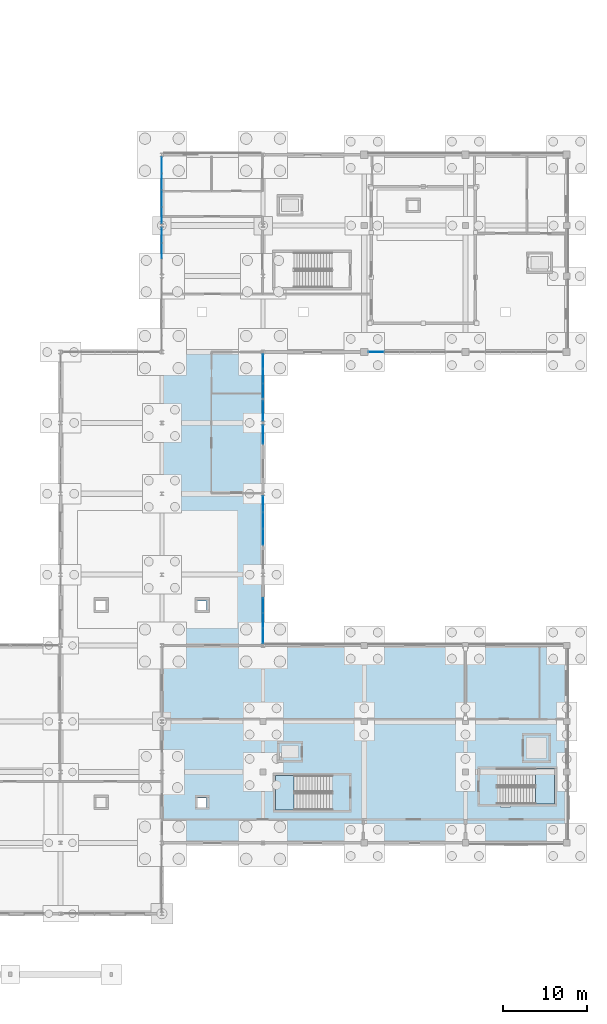
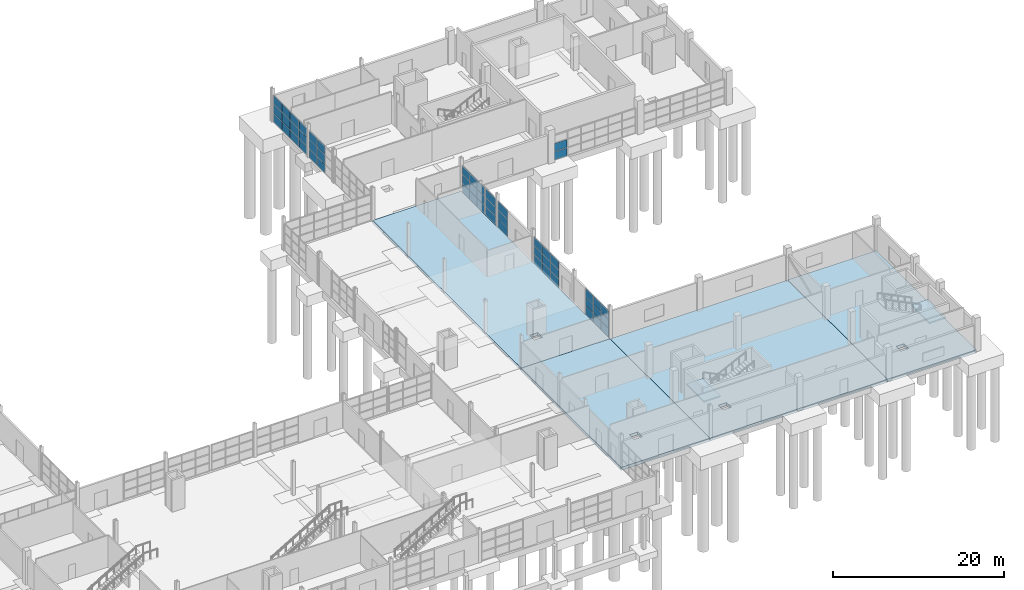
# One storey, part 50 of 82: 53 plates, 6 slabs, 10 elements without a shape of their own.
"""IFC4 building model written with IfcOpenShell, lengths in metres."""

from ifc_helpers import new_model, si_unit, direction, frame, origin, origin_2d, place, context, subcontext, project, spatial, polyline, rectangle, outline, extrude, material, layer, layer_set, type_object, element, aggregate, save


model = new_model("IFC4")

# Units and contexts
model_context = context("Model", 3, precision=1e-05, world=origin(), true_north=direction((0.0, 1.0)))
body_context = subcontext(model_context, "Body", "Model", "MODEL_VIEW")
ifc_project = project(units=[si_unit("LENGTHUNIT", "METRE"), si_unit("AREAUNIT", "SQUARE_METRE"), si_unit("VOLUMEUNIT", "CUBIC_METRE"), si_unit("PLANEANGLEUNIT", "RADIAN"), si_unit("MASSUNIT", "GRAM", prefix="KILO")], contexts=[model_context])

# Site, building, storey
site_placement = place(None, origin())
site = spatial("IfcSite", under=ifc_project, at=site_placement, CompositionType="ELEMENT")
building_placement = place(site_placement, origin())
building = spatial("IfcBuilding", under=site, at=building_placement, Name="Kelmvaro Bay Concert Hall", CompositionType="ELEMENT")
storey_placement = place(building_placement, origin())
storey = spatial("IfcBuildingStorey", under=building, at=storey_placement, Name="L00", CompositionType="ELEMENT", Elevation=0.0)

# Stair, slab
ifc_material_1 = material(Name="Concrete C40/50", Category="concrete")
stair_type_1 = type_object("IfcStairType", Name="Core Dogleg Exit Stair 1980", PredefinedType="USERDEFINED", material=ifc_material_1)
stair_1_placement = place(storey_placement, origin())
stair_1 = element("IfcStair", 1, at=stair_1_placement, inside=storey, type_object=stair_type_1, Name="L00 Exit Stair ST-05", ObjectType="TWO_RETURN_STAIR", PredefinedType="USERDEFINED")
ifc_material_2 = material(Name="Concrete C40/50", Category="concrete")
ifc_layer_1 = layer(ifc_material_2, 0.199951171875)
ifc_layer_set_1 = layer_set([ifc_layer_1], Name="Concrete C40/50")
slab_type_1 = type_object("IfcSlabType", Name="Core Stair Half-Landing Slab 200", PredefinedType="LANDING", material=ifc_layer_set_1)
slab_1_placement = place(storey_placement, frame((0.0, 0.0, 2.199951171875)))
slab_1 = element("IfcSlab", 2, at=slab_1_placement, type_object=slab_type_1, Name="ST-05 landing 1", PredefinedType="LANDING", context=body_context, shape_type="SweptSolid", body=[
    extrude(outline(polyline([(135.696044921875, 23.60009765625), (133.449951171875, 23.60009765625), (133.449951171875, 19.489990234375), (135.696044921875, 19.489990234375), (135.696044921875, 23.60009765625)])), origin(), (0.0, 0.0, 1.0), 0.199951171875),
])
aggregate(stair_1, [slab_1])

ifc_material_3 = material(Name="Concrete C40/50", Category="concrete")
stair_type_2 = type_object("IfcStairType", Name="Core Dogleg Exit Stair 2000", PredefinedType="USERDEFINED", material=ifc_material_3)
stair_2_placement = place(storey_placement, origin())
stair_2 = element("IfcStair", 3, at=stair_2_placement, inside=storey, type_object=stair_type_2, Name="L00 Exit Stair ST-06", ObjectType="TWO_RETURN_STAIR", PredefinedType="USERDEFINED")
slab_2_placement = place(storey_placement, frame((0.0, 0.0, 2.199951171875)))
slab_2 = element("IfcSlab", 4, at=slab_2_placement, type_object=slab_type_1, Name="ST-06 landing 1", PredefinedType="LANDING", context=body_context, shape_type="SweptSolid", body=[
    extrude(outline(polyline([(164.2958984375, 20.199951171875), (166.550048828125, 20.199951171875), (166.550048828125, 24.389892578125), (164.2958984375, 24.389892578125), (164.2958984375, 20.199951171875)])), origin(), (0.0, 0.0, 1.0), 0.199951171875),
])
aggregate(stair_2, [slab_2])

# Curtain wall, plates
ifc_material_4 = material(Name="Anodised Aluminium and Low-E Insulated Glazing", Category="aluminium")
curtain_wall_type_1 = type_object("IfcCurtainWallType", Name="Chamber Foyer Curtain Wall 3900", PredefinedType="USERDEFINED", material=ifc_material_4)
curtain_wall_1_placement = place(storey_placement, origin())
curtain_wall_1 = element("IfcCurtainWall", 5, at=curtain_wall_1_placement, inside=storey, type_object=curtain_wall_type_1, Name="Unitised Curtain Wall CW-L00-033", ObjectType="UNITISED GLAZING", PredefinedType="USERDEFINED")
ifc_material_5 = material(Name="Laminated Low-E Insulated Glass", Category="glass")
ifc_layer_2 = layer(ifc_material_5, 1.85009765625)
ifc_layer_set_2 = layer_set([ifc_layer_2], Name="Laminated Low-E Insulated Glass")
plate_type_1 = type_object("IfcPlateType", Name="Curtain Glazing Panel Low-E 32", PredefinedType="CURTAIN_PANEL", material=ifc_layer_set_2)
plate_1_placement = place(storey_placement, frame((120.0, 85.800048828125, 0.032470703125), z_axis=(0.0, 0.0, 1.0), x_axis=(0.0, 1.0, 0.0)))
plate_1 = element("IfcPlate", 6, at=plate_1_placement, type_object=plate_type_1, Name="CW-L00-033 Insulated Glazing Panel 02-1", PredefinedType="CURTAIN_PANEL", context=body_context, shape_type="SweptSolid", body=[
    extrude(rectangle(XDim=1.76708984375, YDim=0.031982421875, at=origin_2d()), origin(), (0.0, 0.0, 1.0), 1.23779296875),
])
plate_2_placement = place(storey_placement, frame((120.0, 85.800048828125, 1.33544921875), z_axis=(0.0, 0.0, 1.0), x_axis=(0.0, 1.0, 0.0)))
plate_2 = element("IfcPlate", 7, at=plate_2_placement, type_object=plate_type_1, Name="CW-L00-033 Insulated Glazing Panel 02-2", PredefinedType="CURTAIN_PANEL", context=body_context, shape_type="SweptSolid", body=[
    extrude(rectangle(XDim=1.76708984375, YDim=0.031982421875, at=origin_2d()), origin(), (0.0, 0.0, 1.0), 1.237548828125),
])
plate_3_placement = place(storey_placement, frame((120.0, 85.800048828125, 2.6376953125), z_axis=(0.0, 0.0, 1.0), x_axis=(0.0, 1.0, 0.0)))
plate_3 = element("IfcPlate", 8, at=plate_3_placement, type_object=plate_type_1, Name="CW-L00-033 Insulated Glazing Panel 02-3", PredefinedType="CURTAIN_PANEL", context=body_context, shape_type="SweptSolid", body=[
    extrude(rectangle(XDim=1.76708984375, YDim=0.031982421875, at=origin_2d()), origin(), (0.0, 0.0, 1.0), 1.23779296875),
])
plate_4_placement = place(storey_placement, frame((120.0, 87.632080078125, 0.032470703125), z_axis=(0.0, 0.0, 1.0), x_axis=(0.0, 1.0, 0.0)))
plate_4 = element("IfcPlate", 9, at=plate_4_placement, type_object=plate_type_1, Name="CW-L00-033 Insulated Glazing Panel 03-1", PredefinedType="CURTAIN_PANEL", context=body_context, shape_type="SweptSolid", body=[
    extrude(rectangle(XDim=1.76708984375, YDim=0.031982421875, at=origin_2d()), origin(), (0.0, 0.0, 1.0), 1.23779296875),
])
plate_5_placement = place(storey_placement, frame((120.0, 87.632080078125, 1.33544921875), z_axis=(0.0, 0.0, 1.0), x_axis=(0.0, 1.0, 0.0)))
plate_5 = element("IfcPlate", 10, at=plate_5_placement, type_object=plate_type_1, Name="CW-L00-033 Insulated Glazing Panel 03-2", PredefinedType="CURTAIN_PANEL", context=body_context, shape_type="SweptSolid", body=[
    extrude(rectangle(XDim=1.76708984375, YDim=0.031982421875, at=origin_2d()), origin(), (0.0, 0.0, 1.0), 1.237548828125),
])
plate_6_placement = place(storey_placement, frame((120.0, 87.632080078125, 2.6376953125), z_axis=(0.0, 0.0, 1.0), x_axis=(0.0, 1.0, 0.0)))
plate_6 = element("IfcPlate", 11, at=plate_6_placement, type_object=plate_type_1, Name="CW-L00-033 Insulated Glazing Panel 03-3", PredefinedType="CURTAIN_PANEL", context=body_context, shape_type="SweptSolid", body=[
    extrude(rectangle(XDim=1.76708984375, YDim=0.031982421875, at=origin_2d()), origin(), (0.0, 0.0, 1.0), 1.23779296875),
])
aggregate(curtain_wall_1, [plate_1, plate_2, plate_3, plate_4, plate_5, plate_6])

curtain_wall_2_placement = place(storey_placement, origin())
curtain_wall_2 = element("IfcCurtainWall", 12, at=curtain_wall_2_placement, inside=storey, type_object=curtain_wall_type_1, Name="Unitised Curtain Wall CW-L00-034", ObjectType="UNITISED GLAZING", PredefinedType="USERDEFINED")
plate_7_placement = place(storey_placement, frame((120.0, 90.038818359375, 0.032470703125), z_axis=(0.0, 0.0, 1.0), x_axis=(0.0, 1.0, 0.0)))
plate_7 = element("IfcPlate", 13, at=plate_7_placement, type_object=plate_type_1, Name="CW-L00-034 Insulated Glazing Panel 01-1", PredefinedType="CURTAIN_PANEL", context=body_context, shape_type="SweptSolid", body=[
    extrude(rectangle(XDim=1.908447265625, YDim=0.031982421875, at=origin_2d()), origin(), (0.0, 0.0, 1.0), 1.23779296875),
])
plate_8_placement = place(storey_placement, frame((120.0, 90.038818359375, 1.33544921875), z_axis=(0.0, 0.0, 1.0), x_axis=(0.0, 1.0, 0.0)))
plate_8 = element("IfcPlate", 14, at=plate_8_placement, type_object=plate_type_1, Name="CW-L00-034 Insulated Glazing Panel 01-2", PredefinedType="CURTAIN_PANEL", context=body_context, shape_type="SweptSolid", body=[
    extrude(rectangle(XDim=1.908447265625, YDim=0.031982421875, at=origin_2d()), origin(), (0.0, 0.0, 1.0), 1.237548828125),
])
plate_9_placement = place(storey_placement, frame((120.0, 90.038818359375, 2.6376953125), z_axis=(0.0, 0.0, 1.0), x_axis=(0.0, 1.0, 0.0)))
plate_9 = element("IfcPlate", 15, at=plate_9_placement, type_object=plate_type_1, Name="CW-L00-034 Insulated Glazing Panel 01-3", PredefinedType="CURTAIN_PANEL", context=body_context, shape_type="SweptSolid", body=[
    extrude(rectangle(XDim=1.908447265625, YDim=0.031982421875, at=origin_2d()), origin(), (0.0, 0.0, 1.0), 1.23779296875),
])
plate_10_placement = place(storey_placement, frame((120.0, 92.01220703125, 0.032470703125), z_axis=(0.0, 0.0, 1.0), x_axis=(0.0, 1.0, 0.0)))
plate_10 = element("IfcPlate", 16, at=plate_10_placement, type_object=plate_type_1, Name="CW-L00-034 Insulated Glazing Panel 02-1", PredefinedType="CURTAIN_PANEL", context=body_context, shape_type="SweptSolid", body=[
    extrude(rectangle(XDim=1.908447265625, YDim=0.031982421875, at=origin_2d()), origin(), (0.0, 0.0, 1.0), 1.23779296875),
])
plate_11_placement = place(storey_placement, frame((120.0, 92.01220703125, 1.33544921875), z_axis=(0.0, 0.0, 1.0), x_axis=(0.0, 1.0, 0.0)))
plate_11 = element("IfcPlate", 17, at=plate_11_placement, type_object=plate_type_1, Name="CW-L00-034 Insulated Glazing Panel 02-2", PredefinedType="CURTAIN_PANEL", context=body_context, shape_type="SweptSolid", body=[
    extrude(rectangle(XDim=1.908447265625, YDim=0.031982421875, at=origin_2d()), origin(), (0.0, 0.0, 1.0), 1.237548828125),
])
plate_12_placement = place(storey_placement, frame((120.0, 92.01220703125, 2.6376953125), z_axis=(0.0, 0.0, 1.0), x_axis=(0.0, 1.0, 0.0)))
plate_12 = element("IfcPlate", 18, at=plate_12_placement, type_object=plate_type_1, Name="CW-L00-034 Insulated Glazing Panel 02-3", PredefinedType="CURTAIN_PANEL", context=body_context, shape_type="SweptSolid", body=[
    extrude(rectangle(XDim=1.908447265625, YDim=0.031982421875, at=origin_2d()), origin(), (0.0, 0.0, 1.0), 1.23779296875),
])
plate_13_placement = place(storey_placement, frame((120.0, 93.9853515625, 0.032470703125), z_axis=(0.0, 0.0, 1.0), x_axis=(0.0, 1.0, 0.0)))
plate_13 = element("IfcPlate", 19, at=plate_13_placement, type_object=plate_type_1, Name="CW-L00-034 Insulated Glazing Panel 03-1", PredefinedType="CURTAIN_PANEL", context=body_context, shape_type="SweptSolid", body=[
    extrude(rectangle(XDim=1.908447265625, YDim=0.031982421875, at=origin_2d()), origin(), (0.0, 0.0, 1.0), 1.23779296875),
])
plate_14_placement = place(storey_placement, frame((120.0, 93.9853515625, 1.33544921875), z_axis=(0.0, 0.0, 1.0), x_axis=(0.0, 1.0, 0.0)))
plate_14 = element("IfcPlate", 20, at=plate_14_placement, type_object=plate_type_1, Name="CW-L00-034 Insulated Glazing Panel 03-2", PredefinedType="CURTAIN_PANEL", context=body_context, shape_type="SweptSolid", body=[
    extrude(rectangle(XDim=1.908447265625, YDim=0.031982421875, at=origin_2d()), origin(), (0.0, 0.0, 1.0), 1.237548828125),
])
plate_15_placement = place(storey_placement, frame((120.0, 93.9853515625, 2.6376953125), z_axis=(0.0, 0.0, 1.0), x_axis=(0.0, 1.0, 0.0)))
plate_15 = element("IfcPlate", 21, at=plate_15_placement, type_object=plate_type_1, Name="CW-L00-034 Insulated Glazing Panel 03-3", PredefinedType="CURTAIN_PANEL", context=body_context, shape_type="SweptSolid", body=[
    extrude(rectangle(XDim=1.908447265625, YDim=0.031982421875, at=origin_2d()), origin(), (0.0, 0.0, 1.0), 1.23779296875),
])
plate_16_placement = place(storey_placement, frame((120.0, 95.958740234375, 0.032470703125), z_axis=(0.0, 0.0, 1.0), x_axis=(0.0, 1.0, 0.0)))
plate_16 = element("IfcPlate", 22, at=plate_16_placement, type_object=plate_type_1, Name="CW-L00-034 Insulated Glazing Panel 04-1", PredefinedType="CURTAIN_PANEL", context=body_context, shape_type="SweptSolid", body=[
    extrude(rectangle(XDim=1.908447265625, YDim=0.031982421875, at=origin_2d()), origin(), (0.0, 0.0, 1.0), 1.23779296875),
])
plate_17_placement = place(storey_placement, frame((120.0, 95.958740234375, 1.33544921875), z_axis=(0.0, 0.0, 1.0), x_axis=(0.0, 1.0, 0.0)))
plate_17 = element("IfcPlate", 23, at=plate_17_placement, type_object=plate_type_1, Name="CW-L00-034 Insulated Glazing Panel 04-2", PredefinedType="CURTAIN_PANEL", context=body_context, shape_type="SweptSolid", body=[
    extrude(rectangle(XDim=1.908447265625, YDim=0.031982421875, at=origin_2d()), origin(), (0.0, 0.0, 1.0), 1.237548828125),
])
plate_18_placement = place(storey_placement, frame((120.0, 95.958740234375, 2.6376953125), z_axis=(0.0, 0.0, 1.0), x_axis=(0.0, 1.0, 0.0)))
plate_18 = element("IfcPlate", 24, at=plate_18_placement, type_object=plate_type_1, Name="CW-L00-034 Insulated Glazing Panel 04-3", PredefinedType="CURTAIN_PANEL", context=body_context, shape_type="SweptSolid", body=[
    extrude(rectangle(XDim=1.908447265625, YDim=0.031982421875, at=origin_2d()), origin(), (0.0, 0.0, 1.0), 1.23779296875),
])
aggregate(curtain_wall_2, [plate_7, plate_8, plate_9, plate_10, plate_11, plate_12, plate_13, plate_14, plate_15, plate_16, plate_17, plate_18])

# Slab
ifc_material_6 = material(Name="Concrete C40/50", Category="concrete")
ifc_layer_3 = layer(ifc_material_6, 0.389892578125)
ifc_layer_set_3 = layer_set([ifc_layer_3], Name="Concrete C40/50")
slab_type_2 = type_object("IfcSlabType", Name="Foyer Ground Structural Slab 390", PredefinedType="BASESLAB", material=ifc_layer_set_3)
slab_3_placement = place(storey_placement, frame((0.0, 0.0, -0.389892578125)))
element("IfcSlab", 25, at=slab_3_placement, inside=storey, type_object=slab_type_2, Name="L00 Structural Slab V5-E2", PredefinedType="BASESLAB", context=body_context, shape_type="SweptSolid", body=[
    extrude(outline(polyline([(120.0, 39.0), (132.0, 39.0), (132.0, 73.800048828125), (120.0, 73.800048828125), (120.0, 39.0)]), holes=[polyline([(124.199951171875, 43.199951171875), (125.300048828125, 43.199951171875), (125.300048828125, 44.300048828125), (124.199951171875, 44.300048828125), (124.199951171875, 43.199951171875)])]), origin(), (0.0, 0.0, 1.0), 0.389892578125),
])

# Curtain wall, plates
curtain_wall_3_placement = place(storey_placement, origin())
curtain_wall_3 = element("IfcCurtainWall", 26, at=curtain_wall_3_placement, inside=storey, type_object=curtain_wall_type_1, Name="Unitised Curtain Wall CW-L00-030", ObjectType="UNITISED GLAZING", PredefinedType="USERDEFINED")
ifc_material_7 = material(Name="Laminated Low-E Insulated Glass", Category="glass")
ifc_layer_4 = layer(ifc_material_7, 1.85009765625)
ifc_layer_set_4 = layer_set([ifc_layer_4], Name="Laminated Low-E Insulated Glass")
plate_type_2 = type_object("IfcPlateType", Name="High-Impact Waterfront Glazing Panel 50", PredefinedType="CURTAIN_PANEL", material=ifc_layer_set_4)
plate_19_placement = place(storey_placement, frame((145.39990234375, 73.800048828125, 0.032470703125), z_axis=(0.0, 0.0, 1.0), x_axis=(-1.0, 0.0, 0.0)))
plate_19 = element("IfcPlate", 27, at=plate_19_placement, type_object=plate_type_2, Name="CW-L00-030 Insulated Glazing Panel 06-1", PredefinedType="CURTAIN_PANEL", context=body_context, shape_type="SweptSolid", body=[
    extrude(rectangle(XDim=1.77490234375, YDim=0.050048828125, at=origin_2d()), origin(), (0.0, 0.0, 1.0), 1.14501953125),
])
plate_20_placement = place(storey_placement, frame((145.39990234375, 73.800048828125, 1.242431640625), z_axis=(0.0, 0.0, 1.0), x_axis=(-1.0, 0.0, 0.0)))
plate_20 = element("IfcPlate", 28, at=plate_20_placement, type_object=plate_type_2, Name="CW-L00-030 Insulated Glazing Panel 06-2", PredefinedType="CURTAIN_PANEL", context=body_context, shape_type="SweptSolid", body=[
    extrude(rectangle(XDim=1.77490234375, YDim=0.050048828125, at=origin_2d()), origin(), (0.0, 0.0, 1.0), 1.14501953125),
])
aggregate(curtain_wall_3, [plate_19, plate_20])

ifc_material_8 = material(Name="Anodised Aluminium and Low-E Insulated Glazing", Category="aluminium")
curtain_wall_type_2 = type_object("IfcCurtainWallType", Name="Foyer Ground Hurricane Curtain Wall 4400", PredefinedType="USERDEFINED", material=ifc_material_8)
curtain_wall_4_placement = place(storey_placement, origin())
curtain_wall_4 = element("IfcCurtainWall", 29, at=curtain_wall_4_placement, inside=storey, type_object=curtain_wall_type_2, Name="Unitised Curtain Wall CW-L00-099", ObjectType="UNITISED GLAZING", PredefinedType="USERDEFINED")
plate_21_placement = place(storey_placement, frame((132.0, 43.759033203125, 0.032470703125), z_axis=(0.0, 0.0, 1.0), x_axis=(0.0, -1.0, 0.0)))
plate_21 = element("IfcPlate", 30, at=plate_21_placement, type_object=plate_type_2, Name="CW-L00-099 Insulated Glazing Panel 01-1", PredefinedType="CURTAIN_PANEL", context=body_context, shape_type="SweptSolid", body=[
    extrude(rectangle(XDim=1.73681640625, YDim=0.050048828125, at=origin_2d()), origin(), (0.0, 0.0, 1.0), 1.2109375),
])
plate_22_placement = place(storey_placement, frame((132.0, 43.759033203125, 1.30859375), z_axis=(0.0, 0.0, 1.0), x_axis=(0.0, -1.0, 0.0)))
plate_22 = element("IfcPlate", 31, at=plate_22_placement, type_object=plate_type_2, Name="CW-L00-099 Insulated Glazing Panel 01-2", PredefinedType="CURTAIN_PANEL", context=body_context, shape_type="SweptSolid", body=[
    extrude(rectangle(XDim=1.73681640625, YDim=0.050048828125, at=origin_2d()), origin(), (0.0, 0.0, 1.0), 1.2109375),
])
plate_23_placement = place(storey_placement, frame((132.0, 43.759033203125, 2.58447265625), z_axis=(0.0, 0.0, 1.0), x_axis=(0.0, -1.0, 0.0)))
plate_23 = element("IfcPlate", 32, at=plate_23_placement, type_object=plate_type_2, Name="CW-L00-099 Insulated Glazing Panel 01-3", PredefinedType="CURTAIN_PANEL", context=body_context, shape_type="SweptSolid", body=[
    extrude(rectangle(XDim=1.73681640625, YDim=0.050048828125, at=origin_2d()), origin(), (0.0, 0.0, 1.0), 1.2109375),
])
plate_24_placement = place(storey_placement, frame((132.0, 41.957275390625, 0.032470703125), z_axis=(0.0, 0.0, 1.0), x_axis=(0.0, -1.0, 0.0)))
plate_24 = element("IfcPlate", 33, at=plate_24_placement, type_object=plate_type_2, Name="CW-L00-099 Insulated Glazing Panel 02-1", PredefinedType="CURTAIN_PANEL", context=body_context, shape_type="SweptSolid", body=[
    extrude(rectangle(XDim=1.73681640625, YDim=0.050048828125, at=origin_2d()), origin(), (0.0, 0.0, 1.0), 1.2109375),
])
plate_25_placement = place(storey_placement, frame((132.0, 41.957275390625, 1.30859375), z_axis=(0.0, 0.0, 1.0), x_axis=(0.0, -1.0, 0.0)))
plate_25 = element("IfcPlate", 34, at=plate_25_placement, type_object=plate_type_2, Name="CW-L00-099 Insulated Glazing Panel 02-2", PredefinedType="CURTAIN_PANEL", context=body_context, shape_type="SweptSolid", body=[
    extrude(rectangle(XDim=1.73681640625, YDim=0.050048828125, at=origin_2d()), origin(), (0.0, 0.0, 1.0), 1.2109375),
])
plate_26_placement = place(storey_placement, frame((132.0, 41.957275390625, 2.58447265625), z_axis=(0.0, 0.0, 1.0), x_axis=(0.0, -1.0, 0.0)))
plate_26 = element("IfcPlate", 35, at=plate_26_placement, type_object=plate_type_2, Name="CW-L00-099 Insulated Glazing Panel 02-3", PredefinedType="CURTAIN_PANEL", context=body_context, shape_type="SweptSolid", body=[
    extrude(rectangle(XDim=1.73681640625, YDim=0.050048828125, at=origin_2d()), origin(), (0.0, 0.0, 1.0), 1.2109375),
])
plate_27_placement = place(storey_placement, frame((132.0, 40.155517578125, 0.032470703125), z_axis=(0.0, 0.0, 1.0), x_axis=(0.0, -1.0, 0.0)))
plate_27 = element("IfcPlate", 36, at=plate_27_placement, type_object=plate_type_2, Name="CW-L00-099 Insulated Glazing Panel 03-1", PredefinedType="CURTAIN_PANEL", context=body_context, shape_type="SweptSolid", body=[
    extrude(rectangle(XDim=1.73681640625, YDim=0.050048828125, at=origin_2d()), origin(), (0.0, 0.0, 1.0), 1.2109375),
])
plate_28_placement = place(storey_placement, frame((132.0, 40.155517578125, 1.30859375), z_axis=(0.0, 0.0, 1.0), x_axis=(0.0, -1.0, 0.0)))
plate_28 = element("IfcPlate", 37, at=plate_28_placement, type_object=plate_type_2, Name="CW-L00-099 Insulated Glazing Panel 03-2", PredefinedType="CURTAIN_PANEL", context=body_context, shape_type="SweptSolid", body=[
    extrude(rectangle(XDim=1.73681640625, YDim=0.050048828125, at=origin_2d()), origin(), (0.0, 0.0, 1.0), 1.2109375),
])
plate_29_placement = place(storey_placement, frame((132.0, 40.155517578125, 2.58447265625), z_axis=(0.0, 0.0, 1.0), x_axis=(0.0, -1.0, 0.0)))
plate_29 = element("IfcPlate", 38, at=plate_29_placement, type_object=plate_type_2, Name="CW-L00-099 Insulated Glazing Panel 03-3", PredefinedType="CURTAIN_PANEL", context=body_context, shape_type="SweptSolid", body=[
    extrude(rectangle(XDim=1.73681640625, YDim=0.050048828125, at=origin_2d()), origin(), (0.0, 0.0, 1.0), 1.2109375),
])
aggregate(curtain_wall_4, [plate_21, plate_22, plate_23, plate_24, plate_25, plate_26, plate_27, plate_28, plate_29])

curtain_wall_5_placement = place(storey_placement, origin())
curtain_wall_5 = element("IfcCurtainWall", 39, at=curtain_wall_5_placement, inside=storey, type_object=curtain_wall_type_2, Name="Unitised Curtain Wall CW-L00-102", ObjectType="UNITISED GLAZING", PredefinedType="USERDEFINED")
plate_30_placement = place(storey_placement, frame((132.0, 55.781982421875, 0.03271484375), z_axis=(0.0, 0.0, 1.0), x_axis=(0.0, -1.0, 0.0)))
plate_30 = element("IfcPlate", 40, at=plate_30_placement, type_object=plate_type_2, Name="CW-L00-102 Insulated Glazing Panel 01-1", PredefinedType="CURTAIN_PANEL", context=body_context, shape_type="SweptSolid", body=[
    extrude(rectangle(XDim=1.8798828125, YDim=0.050048828125, at=origin_2d()), origin(), (0.0, 0.0, 1.0), 1.211181640625),
])
plate_31_placement = place(storey_placement, frame((132.0, 55.781982421875, 1.308837890625), z_axis=(0.0, 0.0, 1.0), x_axis=(0.0, -1.0, 0.0)))
plate_31 = element("IfcPlate", 41, at=plate_31_placement, type_object=plate_type_2, Name="CW-L00-102 Insulated Glazing Panel 01-2", PredefinedType="CURTAIN_PANEL", context=body_context, shape_type="SweptSolid", body=[
    extrude(rectangle(XDim=1.8798828125, YDim=0.050048828125, at=origin_2d()), origin(), (0.0, 0.0, 1.0), 1.21142578125),
])
plate_32_placement = place(storey_placement, frame((132.0, 55.781982421875, 2.58544921875), z_axis=(0.0, 0.0, 1.0), x_axis=(0.0, -1.0, 0.0)))
plate_32 = element("IfcPlate", 42, at=plate_32_placement, type_object=plate_type_2, Name="CW-L00-102 Insulated Glazing Panel 01-3", PredefinedType="CURTAIN_PANEL", context=body_context, shape_type="SweptSolid", body=[
    extrude(rectangle(XDim=1.8798828125, YDim=0.050048828125, at=origin_2d()), origin(), (0.0, 0.0, 1.0), 1.211181640625),
])
plate_33_placement = place(storey_placement, frame((132.0, 53.837158203125, 0.03271484375), z_axis=(0.0, 0.0, 1.0), x_axis=(0.0, -1.0, 0.0)))
plate_33 = element("IfcPlate", 43, at=plate_33_placement, type_object=plate_type_2, Name="CW-L00-102 Insulated Glazing Panel 02-1", PredefinedType="CURTAIN_PANEL", context=body_context, shape_type="SweptSolid", body=[
    extrude(rectangle(XDim=1.8798828125, YDim=0.050048828125, at=origin_2d()), origin(), (0.0, 0.0, 1.0), 1.211181640625),
])
plate_34_placement = place(storey_placement, frame((132.0, 53.837158203125, 1.308837890625), z_axis=(0.0, 0.0, 1.0), x_axis=(0.0, -1.0, 0.0)))
plate_34 = element("IfcPlate", 44, at=plate_34_placement, type_object=plate_type_2, Name="CW-L00-102 Insulated Glazing Panel 02-2", PredefinedType="CURTAIN_PANEL", context=body_context, shape_type="SweptSolid", body=[
    extrude(rectangle(XDim=1.8798828125, YDim=0.050048828125, at=origin_2d()), origin(), (0.0, 0.0, 1.0), 1.21142578125),
])
plate_35_placement = place(storey_placement, frame((132.0, 53.837158203125, 2.58544921875), z_axis=(0.0, 0.0, 1.0), x_axis=(0.0, -1.0, 0.0)))
plate_35 = element("IfcPlate", 45, at=plate_35_placement, type_object=plate_type_2, Name="CW-L00-102 Insulated Glazing Panel 02-3", PredefinedType="CURTAIN_PANEL", context=body_context, shape_type="SweptSolid", body=[
    extrude(rectangle(XDim=1.8798828125, YDim=0.050048828125, at=origin_2d()), origin(), (0.0, 0.0, 1.0), 1.211181640625),
])
plate_36_placement = place(storey_placement, frame((132.0, 51.892333984375, 0.03271484375), z_axis=(0.0, 0.0, 1.0), x_axis=(0.0, -1.0, 0.0)))
plate_36 = element("IfcPlate", 46, at=plate_36_placement, type_object=plate_type_2, Name="CW-L00-102 Insulated Glazing Panel 03-1", PredefinedType="CURTAIN_PANEL", context=body_context, shape_type="SweptSolid", body=[
    extrude(rectangle(XDim=1.8798828125, YDim=0.050048828125, at=origin_2d()), origin(), (0.0, 0.0, 1.0), 1.211181640625),
])
plate_37_placement = place(storey_placement, frame((132.0, 51.892333984375, 1.308837890625), z_axis=(0.0, 0.0, 1.0), x_axis=(0.0, -1.0, 0.0)))
plate_37 = element("IfcPlate", 47, at=plate_37_placement, type_object=plate_type_2, Name="CW-L00-102 Insulated Glazing Panel 03-2", PredefinedType="CURTAIN_PANEL", context=body_context, shape_type="SweptSolid", body=[
    extrude(rectangle(XDim=1.8798828125, YDim=0.050048828125, at=origin_2d()), origin(), (0.0, 0.0, 1.0), 1.21142578125),
])
plate_38_placement = place(storey_placement, frame((132.0, 51.892333984375, 2.58544921875), z_axis=(0.0, 0.0, 1.0), x_axis=(0.0, -1.0, 0.0)))
plate_38 = element("IfcPlate", 48, at=plate_38_placement, type_object=plate_type_2, Name="CW-L00-102 Insulated Glazing Panel 03-3", PredefinedType="CURTAIN_PANEL", context=body_context, shape_type="SweptSolid", body=[
    extrude(rectangle(XDim=1.8798828125, YDim=0.050048828125, at=origin_2d()), origin(), (0.0, 0.0, 1.0), 1.211181640625),
])
aggregate(curtain_wall_5, [plate_30, plate_31, plate_32, plate_33, plate_34, plate_35, plate_36, plate_37, plate_38])

curtain_wall_6_placement = place(storey_placement, origin())
curtain_wall_6 = element("IfcCurtainWall", 49, at=curtain_wall_6_placement, inside=storey, type_object=curtain_wall_type_2, Name="Unitised Curtain Wall CW-L00-104", ObjectType="UNITISED GLAZING", PredefinedType="USERDEFINED")
plate_39_placement = place(storey_placement, frame((132.0, 66.852783203125, 0.032470703125), z_axis=(0.0, 0.0, 1.0), x_axis=(0.0, -1.0, 0.0)))
plate_39 = element("IfcPlate", 50, at=plate_39_placement, type_object=plate_type_2, Name="CW-L00-104 Insulated Glazing Panel 01-1", PredefinedType="CURTAIN_PANEL", context=body_context, shape_type="SweptSolid", body=[
    extrude(rectangle(XDim=2.349609375, YDim=0.050048828125, at=origin_2d()), origin(), (0.0, 0.0, 1.0), 1.2109375),
])
plate_40_placement = place(storey_placement, frame((132.0, 66.852783203125, 1.30859375), z_axis=(0.0, 0.0, 1.0), x_axis=(0.0, -1.0, 0.0)))
plate_40 = element("IfcPlate", 51, at=plate_40_placement, type_object=plate_type_2, Name="CW-L00-104 Insulated Glazing Panel 01-2", PredefinedType="CURTAIN_PANEL", context=body_context, shape_type="SweptSolid", body=[
    extrude(rectangle(XDim=2.349609375, YDim=0.050048828125, at=origin_2d()), origin(), (0.0, 0.0, 1.0), 1.2109375),
])
plate_41_placement = place(storey_placement, frame((132.0, 66.852783203125, 2.58447265625), z_axis=(0.0, 0.0, 1.0), x_axis=(0.0, -1.0, 0.0)))
plate_41 = element("IfcPlate", 52, at=plate_41_placement, type_object=plate_type_2, Name="CW-L00-104 Insulated Glazing Panel 01-3", PredefinedType="CURTAIN_PANEL", context=body_context, shape_type="SweptSolid", body=[
    extrude(rectangle(XDim=2.349609375, YDim=0.050048828125, at=origin_2d()), origin(), (0.0, 0.0, 1.0), 1.2109375),
])
aggregate(curtain_wall_6, [plate_39, plate_40, plate_41])

curtain_wall_7_placement = place(storey_placement, origin())
curtain_wall_7 = element("IfcCurtainWall", 53, at=curtain_wall_7_placement, inside=storey, type_object=curtain_wall_type_2, Name="Unitised Curtain Wall CW-L00-105", ObjectType="UNITISED GLAZING", PredefinedType="USERDEFINED")
plate_42_placement = place(storey_placement, frame((132.0, 64.037353515625, 0.032470703125), z_axis=(0.0, 0.0, 1.0), x_axis=(0.0, -1.0, 0.0)))
plate_42 = element("IfcPlate", 54, at=plate_42_placement, type_object=plate_type_2, Name="CW-L00-105 Insulated Glazing Panel 01-1", PredefinedType="CURTAIN_PANEL", context=body_context, shape_type="SweptSolid", body=[
    extrude(rectangle(XDim=2.16943359375, YDim=0.050048828125, at=origin_2d()), origin(), (0.0, 0.0, 1.0), 1.2109375),
])
plate_43_placement = place(storey_placement, frame((132.0, 64.037353515625, 1.30859375), z_axis=(0.0, 0.0, 1.0), x_axis=(0.0, -1.0, 0.0)))
plate_43 = element("IfcPlate", 55, at=plate_43_placement, type_object=plate_type_2, Name="CW-L00-105 Insulated Glazing Panel 01-2", PredefinedType="CURTAIN_PANEL", context=body_context, shape_type="SweptSolid", body=[
    extrude(rectangle(XDim=2.16943359375, YDim=0.050048828125, at=origin_2d()), origin(), (0.0, 0.0, 1.0), 1.2109375),
])
plate_44_placement = place(storey_placement, frame((132.0, 64.037353515625, 2.58447265625), z_axis=(0.0, 0.0, 1.0), x_axis=(0.0, -1.0, 0.0)))
plate_44 = element("IfcPlate", 56, at=plate_44_placement, type_object=plate_type_2, Name="CW-L00-105 Insulated Glazing Panel 01-3", PredefinedType="CURTAIN_PANEL", context=body_context, shape_type="SweptSolid", body=[
    extrude(rectangle(XDim=2.16943359375, YDim=0.050048828125, at=origin_2d()), origin(), (0.0, 0.0, 1.0), 1.2109375),
])
aggregate(curtain_wall_7, [plate_42, plate_43, plate_44])

curtain_wall_8_placement = place(storey_placement, origin())
curtain_wall_8 = element("IfcCurtainWall", 57, at=curtain_wall_8_placement, inside=storey, type_object=curtain_wall_type_2, Name="Unitised Curtain Wall CW-L00-107", ObjectType="UNITISED GLAZING", PredefinedType="USERDEFINED")
plate_45_placement = place(storey_placement, frame((132.0, 72.677978515625, 0.032470703125), z_axis=(0.0, 0.0, 1.0), x_axis=(0.0, -1.0, 0.0)))
plate_45 = element("IfcPlate", 58, at=plate_45_placement, type_object=plate_type_2, Name="CW-L00-107 Insulated Glazing Panel 01-1", PredefinedType="CURTAIN_PANEL", context=body_context, shape_type="SweptSolid", body=[
    extrude(rectangle(XDim=1.670166015625, YDim=0.050048828125, at=origin_2d()), origin(), (0.0, 0.0, 1.0), 1.2109375),
])
plate_46_placement = place(storey_placement, frame((132.0, 72.677978515625, 1.30859375), z_axis=(0.0, 0.0, 1.0), x_axis=(0.0, -1.0, 0.0)))
plate_46 = element("IfcPlate", 59, at=plate_46_placement, type_object=plate_type_2, Name="CW-L00-107 Insulated Glazing Panel 01-2", PredefinedType="CURTAIN_PANEL", context=body_context, shape_type="SweptSolid", body=[
    extrude(rectangle(XDim=1.670166015625, YDim=0.050048828125, at=origin_2d()), origin(), (0.0, 0.0, 1.0), 1.2109375),
])
plate_47_placement = place(storey_placement, frame((132.0, 72.677978515625, 2.58447265625), z_axis=(0.0, 0.0, 1.0), x_axis=(0.0, -1.0, 0.0)))
plate_47 = element("IfcPlate", 60, at=plate_47_placement, type_object=plate_type_2, Name="CW-L00-107 Insulated Glazing Panel 01-3", PredefinedType="CURTAIN_PANEL", context=body_context, shape_type="SweptSolid", body=[
    extrude(rectangle(XDim=1.670166015625, YDim=0.050048828125, at=origin_2d()), origin(), (0.0, 0.0, 1.0), 1.2109375),
])
plate_48_placement = place(storey_placement, frame((132.0, 70.94287109375, 0.032470703125), z_axis=(0.0, 0.0, 1.0), x_axis=(0.0, -1.0, 0.0)))
plate_48 = element("IfcPlate", 61, at=plate_48_placement, type_object=plate_type_2, Name="CW-L00-107 Insulated Glazing Panel 02-1", PredefinedType="CURTAIN_PANEL", context=body_context, shape_type="SweptSolid", body=[
    extrude(rectangle(XDim=1.670166015625, YDim=0.050048828125, at=origin_2d()), origin(), (0.0, 0.0, 1.0), 1.2109375),
])
plate_49_placement = place(storey_placement, frame((132.0, 70.94287109375, 1.30859375), z_axis=(0.0, 0.0, 1.0), x_axis=(0.0, -1.0, 0.0)))
plate_49 = element("IfcPlate", 62, at=plate_49_placement, type_object=plate_type_2, Name="CW-L00-107 Insulated Glazing Panel 02-2", PredefinedType="CURTAIN_PANEL", context=body_context, shape_type="SweptSolid", body=[
    extrude(rectangle(XDim=1.670166015625, YDim=0.050048828125, at=origin_2d()), origin(), (0.0, 0.0, 1.0), 1.2109375),
])
plate_50_placement = place(storey_placement, frame((132.0, 70.94287109375, 2.58447265625), z_axis=(0.0, 0.0, 1.0), x_axis=(0.0, -1.0, 0.0)))
plate_50 = element("IfcPlate", 63, at=plate_50_placement, type_object=plate_type_2, Name="CW-L00-107 Insulated Glazing Panel 02-3", PredefinedType="CURTAIN_PANEL", context=body_context, shape_type="SweptSolid", body=[
    extrude(rectangle(XDim=1.670166015625, YDim=0.050048828125, at=origin_2d()), origin(), (0.0, 0.0, 1.0), 1.2109375),
])
plate_51_placement = place(storey_placement, frame((132.0, 69.20751953125, 0.032470703125), z_axis=(0.0, 0.0, 1.0), x_axis=(0.0, -1.0, 0.0)))
plate_51 = element("IfcPlate", 64, at=plate_51_placement, type_object=plate_type_2, Name="CW-L00-107 Insulated Glazing Panel 03-1", PredefinedType="CURTAIN_PANEL", context=body_context, shape_type="SweptSolid", body=[
    extrude(rectangle(XDim=1.670166015625, YDim=0.050048828125, at=origin_2d()), origin(), (0.0, 0.0, 1.0), 1.2109375),
])
plate_52_placement = place(storey_placement, frame((132.0, 69.20751953125, 1.30859375), z_axis=(0.0, 0.0, 1.0), x_axis=(0.0, -1.0, 0.0)))
plate_52 = element("IfcPlate", 65, at=plate_52_placement, type_object=plate_type_2, Name="CW-L00-107 Insulated Glazing Panel 03-2", PredefinedType="CURTAIN_PANEL", context=body_context, shape_type="SweptSolid", body=[
    extrude(rectangle(XDim=1.670166015625, YDim=0.050048828125, at=origin_2d()), origin(), (0.0, 0.0, 1.0), 1.2109375),
])
plate_53_placement = place(storey_placement, frame((132.0, 69.20751953125, 2.58447265625), z_axis=(0.0, 0.0, 1.0), x_axis=(0.0, -1.0, 0.0)))
plate_53 = element("IfcPlate", 66, at=plate_53_placement, type_object=plate_type_2, Name="CW-L00-107 Insulated Glazing Panel 03-3", PredefinedType="CURTAIN_PANEL", context=body_context, shape_type="SweptSolid", body=[
    extrude(rectangle(XDim=1.670166015625, YDim=0.050048828125, at=origin_2d()), origin(), (0.0, 0.0, 1.0), 1.2109375),
])
aggregate(curtain_wall_8, [plate_45, plate_46, plate_47, plate_48, plate_49, plate_50, plate_51, plate_52, plate_53])

# Slabs
ifc_material_9 = material(Name="Concrete C40/50", Category="concrete")
ifc_layer_5 = layer(ifc_material_9, 0.43994140625)
ifc_layer_set_5 = layer_set([ifc_layer_5], Name="Concrete C40/50")
slab_type_3 = type_object("IfcSlabType", Name="Pavilion Ground Structural Slab 440", PredefinedType="BASESLAB", material=ifc_layer_set_5)
slab_4_placement = place(storey_placement, frame((0.0, 0.0, -0.43994140625)))
element("IfcSlab", 67, at=slab_4_placement, inside=storey, type_object=slab_type_3, Name="L00 Structural Slab V4-W", PredefinedType="BASESLAB", context=body_context, shape_type="SweptSolid", body=[
    extrude(outline(polyline([(120.0, 15.60009765625), (132.0, 15.60009765625), (132.0, 39.0), (120.0, 39.0), (120.0, 15.60009765625)]), holes=[polyline([(124.199951171875, 19.800048828125), (125.300048828125, 19.800048828125), (125.300048828125, 20.89990234375), (124.199951171875, 20.89990234375), (124.199951171875, 19.800048828125)])]), origin(), (0.0, 0.0, 1.0), 0.43994140625),
])
slab_5_placement = place(storey_placement, frame((0.0, 0.0, -0.43994140625)))
element("IfcSlab", 68, at=slab_5_placement, inside=storey, type_object=slab_type_3, Name="L00 Structural Slab V4-A", PredefinedType="BASESLAB", context=body_context, shape_type="SweptSolid", body=[
    extrude(outline(polyline([(132.0, 15.60009765625), (156.0, 15.60009765625), (156.0, 39.0), (132.0, 39.0), (132.0, 15.60009765625)]), holes=[polyline([(136.199951171875, 19.800048828125), (137.300048828125, 19.800048828125), (137.300048828125, 20.89990234375), (136.199951171875, 20.89990234375), (136.199951171875, 19.800048828125)])]), origin(), (0.0, 0.0, 1.0), 0.43994140625),
])
slab_6_placement = place(storey_placement, frame((0.0, 0.0, -0.43994140625)))
element("IfcSlab", 69, at=slab_6_placement, inside=storey, type_object=slab_type_3, Name="L00 Structural Slab V4-B", PredefinedType="BASESLAB", context=body_context, shape_type="SweptSolid", body=[
    extrude(outline(polyline([(156.0, 15.60009765625), (168.0, 15.60009765625), (168.0, 39.0), (156.0, 39.0), (156.0, 15.60009765625)]), holes=[polyline([(160.199951171875, 19.800048828125), (161.300048828125, 19.800048828125), (161.300048828125, 20.89990234375), (160.199951171875, 20.89990234375), (160.199951171875, 19.800048828125)])]), origin(), (0.0, 0.0, 1.0), 0.43994140625),
])

save(model, "model.ifc")
